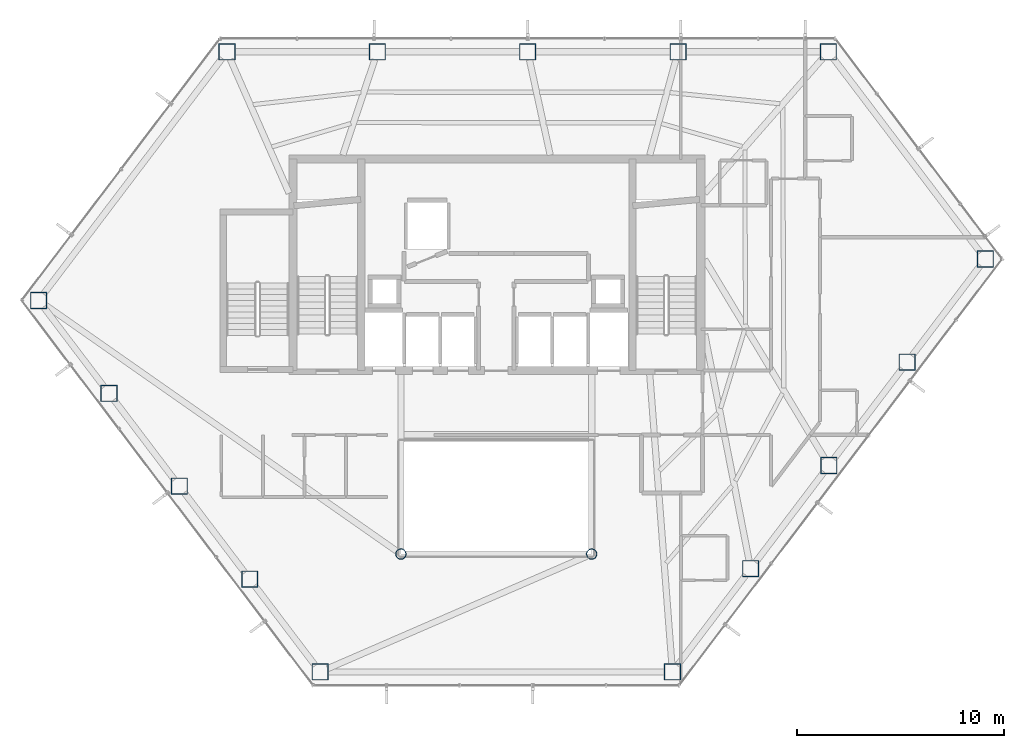
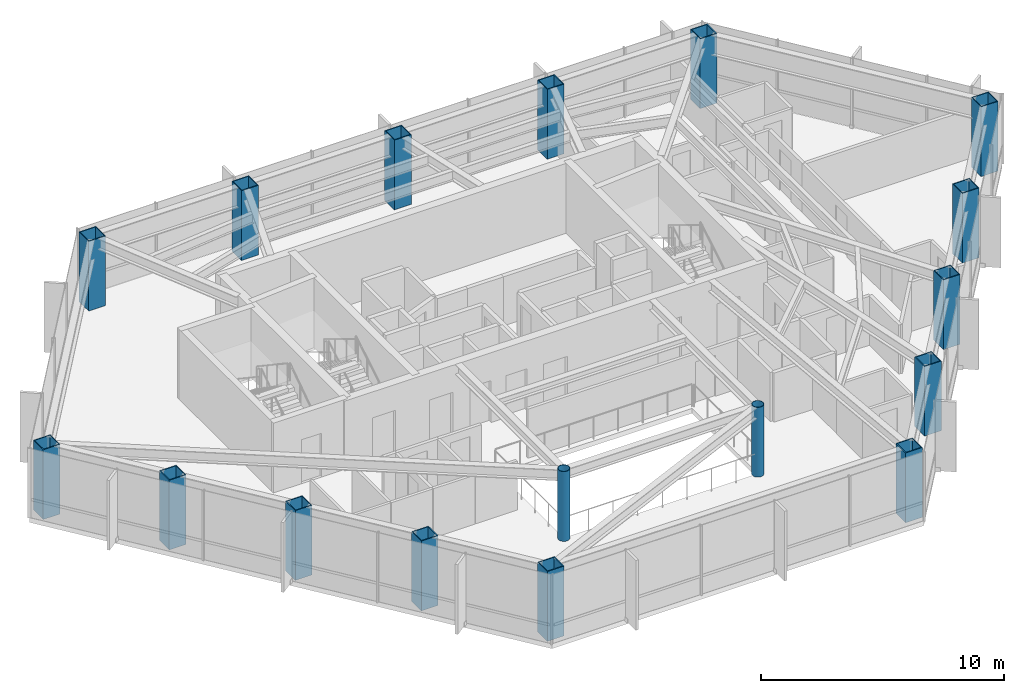
# One storey, part 1 of 28: 17 columns.
"""IFC4 building model written with IfcOpenShell, lengths in metres."""

from ifc_helpers import new_model, si_unit, direction, frame, origin, origin_2d, place, context, subcontext, project, spatial, hollow_rectangle, hollow_circle, extrude, material, material_profile, profile_set, type_object, element, save


model = new_model("IFC4")

# Units and contexts
model_context = context("Model", 3, precision=1e-05, world=origin(), true_north=direction((0.0, 1.0)))
body_context = subcontext(model_context, "Body", "Model", "MODEL_VIEW")
ifc_project = project(units=[si_unit("LENGTHUNIT", "METRE"), si_unit("AREAUNIT", "SQUARE_METRE"), si_unit("VOLUMEUNIT", "CUBIC_METRE"), si_unit("PLANEANGLEUNIT", "RADIAN"), si_unit("MASSUNIT", "GRAM", prefix="KILO")], contexts=[model_context])

# Site, building, storey
site_placement = place(None, origin())
site = spatial("IfcSite", under=ifc_project, at=site_placement, CompositionType="ELEMENT")
building_placement = place(site_placement, origin())
building = spatial("IfcBuilding", under=site, at=building_placement, Name="Zarrinselat Tower", CompositionType="ELEMENT")
storey_placement = place(building_placement, frame((0.0, 0.0, 123.419921875)))
storey = spatial("IfcBuildingStorey", under=building, at=storey_placement, Name="L29", CompositionType="ELEMENT", Elevation=123.419921875)

# Columns
ifc_material_1 = material(Name="Steel S355J2", Category="steel")
ifc_material_profile_1 = material_profile(ifc_material_1, hollow_circle(Radius=0.25390625, WallThickness=0.02001953125, at=origin_2d()), Name="CHS 508x20")
ifc_profile_set_1 = profile_set([ifc_material_profile_1], Name="Steel S355J2")
column_type_1 = type_object("IfcColumnType", Name="COL-CHS508", PredefinedType="COLUMN", material=ifc_profile_set_1)
for number, where, z_axis, x_axis, name in (
    (1, (33.800048828125, 24.39990234375, 0.0), (0.0, 0.0, 1.0), (1.0, 0.0, 0.0), "L29 Atrium Corner Column 1"),
    (2, (43.0, 24.39990234375, 0.0), (0.0, 0.0, 1.0), (1.0, 0.0, 0.0), "L29 Atrium Corner Column 2"),
):
    element("IfcColumn", number, at=place(storey_placement, frame(where, z_axis=z_axis, x_axis=x_axis)), inside=storey, type_object=column_type_1, Name=name, PredefinedType="COLUMN", context=body_context, shape_type="SweptSolid", body=[
        extrude(hollow_circle(Radius=0.25390625, WallThickness=0.02001953125, at=origin_2d()), origin(), (0.0, 0.0, 1.0), 3.5),
    ])
ifc_material_2 = material(Name="Steel S460M", Category="steel")
ifc_material_profile_2 = material_profile(ifc_material_2, hollow_rectangle(XDim=0.800048828125, YDim=0.800048828125, WallThickness=0.0400390625, at=origin_2d()), Name="SHS 800x800x40")
ifc_profile_set_2 = profile_set([ifc_material_profile_2], Name="Steel S460M")
column_type_2 = type_object("IfcColumnType", Name="COL-SHS800", PredefinedType="COLUMN", material=ifc_profile_set_2)
for number, where, z_axis, x_axis, name in (
    (3, (54.41455078125, 48.61669921875, 0.0), (0.0, 0.0, 1.0), (1.0, 0.0, 0.0), "L29 Framed-Tube Column T01"),
    (4, (47.1650390625, 48.61669921875, 0.0), (0.0, 0.0, 1.0), (1.0, 0.0, 0.0), "L29 Framed-Tube Column T02"),
    (5, (39.91552734375, 48.61669921875, 0.0), (0.0, 0.0, 1.0), (1.0, 0.0, 0.0), "L29 Framed-Tube Column T03"),
    (6, (32.666015625, 48.61669921875, 0.0), (0.0, 0.0, 1.0), (1.0, 0.0, 0.0), "L29 Framed-Tube Column T04"),
    (7, (25.41650390625, 48.61669921875, 0.0), (0.0, 0.0, 1.0), (1.0, 0.0, 0.0), "L29 Framed-Tube Column T05"),
    (8, (16.3349609375, 36.62890625, 0.0), (0.0, 0.0, 1.0), (1.0, 0.0, 0.0), "L29 Framed-Tube Column T06"),
    (9, (19.7275390625, 32.15087890625, 0.0), (0.0, 0.0, 1.0), (1.0, 0.0, 0.0), "L29 Framed-Tube Column T07"),
    (10, (23.1201171875, 27.672607421875, 0.0), (0.0, 0.0, 1.0), (1.0, 0.0, 0.0), "L29 Framed-Tube Column T08"),
    (11, (26.5126953125, 23.1943359375, 0.0), (0.0, 0.0, 1.0), (1.0, 0.0, 0.0), "L29 Framed-Tube Column T09"),
    (12, (29.905029296875, 18.71630859375, 0.0), (0.0, 0.0, 1.0), (1.0, 0.0, 0.0), "L29 Framed-Tube Column T10"),
    (13, (46.89501953125, 18.71630859375, 0.0), (0.0, 0.0, 1.0), (1.0, 0.0, 0.0), "L29 Framed-Tube Column T11"),
    (14, (50.666259765625, 23.694580078125, 0.0), (0.0, 0.0, 1.0), (1.0, 0.0, 0.0), "L29 Framed-Tube Column T12"),
    (15, (54.437744140625, 28.6728515625, 0.0), (0.0, 0.0, 1.0), (1.0, 0.0, 0.0), "L29 Framed-Tube Column T13"),
    (16, (58.209228515625, 33.651123046875, 0.0), (0.0, 0.0, 1.0), (1.0, 0.0, 0.0), "L29 Framed-Tube Column T14"),
    (17, (61.980712890625, 38.62939453125, 0.0), (0.0, 0.0, 1.0), (1.0, 0.0, 0.0), "L29 Framed-Tube Column T15"),
):
    element("IfcColumn", number, at=place(storey_placement, frame(where, z_axis=z_axis, x_axis=x_axis)), inside=storey, type_object=column_type_2, Name=name, PredefinedType="COLUMN", context=body_context, shape_type="SweptSolid", body=[
        extrude(hollow_rectangle(XDim=0.800048828125, YDim=0.800048828125, WallThickness=0.0400390625, at=origin_2d()), origin(), (0.0, 0.0, 1.0), 3.5),
    ])

save(model, "model.ifc")
